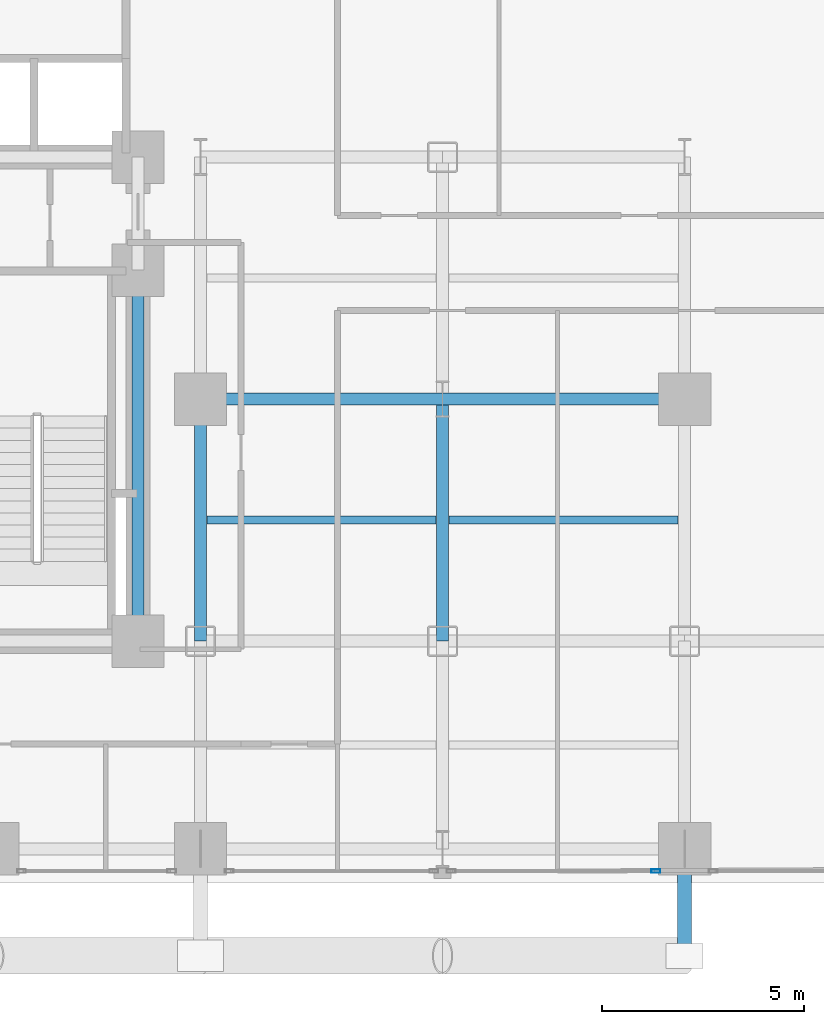
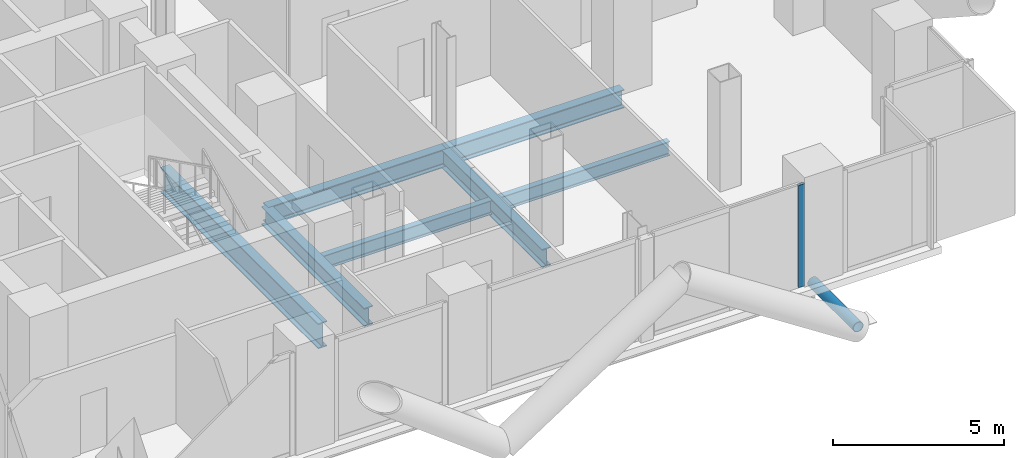
# One storey, part 9 of 25: 7 beams, 2 members, 1 element without a shape of its own.
"""IFC4 building model written with IfcOpenShell, lengths in metres."""

from ifc_helpers import new_model, si_unit, direction, frame, origin, origin_2d, place, context, subcontext, project, spatial, hollow_rectangle, hollow_circle, i_section, extrude, material, layer, layer_set, material_profile, profile_set, type_object, element, aggregate, save


model = new_model("IFC4")

# Units and contexts
model_context = context("Model", 3, precision=1e-05, world=origin(), true_north=direction((0.0, 1.0)))
body_context = subcontext(model_context, "Body", "Model", "MODEL_VIEW")
ifc_project = project(units=[si_unit("LENGTHUNIT", "METRE"), si_unit("AREAUNIT", "SQUARE_METRE"), si_unit("VOLUMEUNIT", "CUBIC_METRE"), si_unit("PLANEANGLEUNIT", "RADIAN"), si_unit("MASSUNIT", "GRAM", prefix="KILO"), si_unit("THERMODYNAMICTEMPERATUREUNIT", "KELVIN"), si_unit("POWERUNIT", "WATT")], contexts=[model_context])

# Site, building, storey
site_placement = place(None, origin())
site = spatial("IfcSite", under=ifc_project, at=site_placement, CompositionType="ELEMENT")
building_placement = place(site_placement, origin())
building = spatial("IfcBuilding", under=site, at=building_placement, Name="Svarakhadi Broadcast Tower", CompositionType="ELEMENT")
storey_placement = place(building_placement, frame((0.0, 0.0, 36.300048828125)))
storey = spatial("IfcBuildingStorey", under=building, at=storey_placement, Name="L07", CompositionType="ELEMENT", Elevation=36.300048828125)

# Beams
ifc_material_1 = material(Name="Steel S355J2 (IS 2062 E350C)", Category="steel")
ifc_material_profile_1 = material_profile(ifc_material_1, i_section(OverallWidth=0.199951171875, OverallDepth=0.5, WebThickness=0.01025390625, FlangeThickness=0.01611328125, FilletRadius=0.02099609375, at=origin_2d()), Name="NPB 500x200x91")
ifc_profile_set_1 = profile_set([ifc_material_profile_1], Name="Steel S355J2 (IS 2062 E350C)")
beam_type_1 = type_object("IfcBeamType", Name="Beam_NPB500", PredefinedType="BEAM", material=ifc_profile_set_1)
for number, where, z_axis, x_axis, name in (
    (1, (35.31005859375, 9.0, -0.5), (1.0, 0.0, 0.0), (0.0, 1.0, 0.0), "L07 Secondary Composite Beam SB023"),
    (2, (41.31005859375, 9.0, -0.5), (1.0, 0.0, 0.0), (0.0, 1.0, 0.0), "L07 Secondary Composite Beam SB026"),
):
    element("IfcBeam", number, at=place(storey_placement, frame(where, z_axis=z_axis, x_axis=x_axis)), inside=storey, type_object=beam_type_1, Name=name, PredefinedType="BEAM", context=body_context, shape_type="SweptSolid", body=[
        extrude(i_section(OverallWidth=0.199951171875, OverallDepth=0.5, WebThickness=0.01025390625, FlangeThickness=0.01611328125, FilletRadius=0.02099609375, at=origin_2d()), origin(), (0.0, 0.0, 1.0), 5.679931640625),
    ])

# Curtain wall, member
ifc_material_2 = material(Name="Anodised Bronze Aluminium AA 6063-T6", Category="aluminium")
ifc_layer = layer(ifc_material_2, 0.219970703125)
ifc_layer_set = layer_set([ifc_layer], Name="Anodised Bronze Aluminium AA 6063-T6")
curtain_wall_type = type_object("IfcCurtainWallType", Name="CW_Sys_02", PredefinedType="NOTDEFINED", material=ifc_layer_set)
curtain_wall_placement = place(storey_placement, origin())
curtain_wall = element("IfcCurtainWall", 3, at=curtain_wall_placement, inside=storey, type_object=curtain_wall_type, Name="L07 South Curtain Wall 16 Bay 2", PredefinedType="NOTDEFINED")
ifc_material_profile_2 = material_profile(ifc_material_2, hollow_rectangle(XDim=0.0849609375, YDim=0.219970703125, WallThickness=0.006103515625, at=origin_2d()), Name="ALU MULLION 220x85x6")
ifc_profile_set_2 = profile_set([ifc_material_profile_2], Name="Anodised Bronze Aluminium AA 6063-T6")
member_type_1 = type_object("IfcMemberType", Name="CW_Sys_02_Mul", PredefinedType="MULLION", material=ifc_profile_set_2)
member_1_placement = place(storey_placement, frame((46.4375, 0.300048828125, 0.0), z_axis=(0.0, 0.0, 1.0), x_axis=(0.0, -1.0, 0.0)))
member_1 = element("IfcMember", 4, at=member_1_placement, type_object=member_type_1, Name="CW-02 mullion 1", PredefinedType="MULLION", context=body_context, shape_type="SweptSolid", body=[
    extrude(hollow_rectangle(XDim=0.0849609375, YDim=0.219970703125, WallThickness=0.006103515625, at=origin_2d()), origin(), (0.0, 0.0, 1.0), 3.64990234375),
])
aggregate(curtain_wall, [member_1])

# Member
ifc_material_3 = material(Name="Steel S460ML (IS 2062 E450BR)", Category="steel")
ifc_material_profile_3 = material_profile(ifc_material_3, hollow_circle(Radius=0.177734375, WallThickness=0.02001953125, at=origin_2d()), Name="CHS 355.6x20")
ifc_profile_set_3 = profile_set([ifc_material_profile_3], Name="Steel S460ML (IS 2062 E450BR)")
member_type_2 = type_object("IfcMemberType", Name="Exo_Radial_Strut_Z1", PredefinedType="STRUT", material=ifc_profile_set_3)
member_2_placement = place(storey_placement, frame((47.14990234375, -1.800048828125, -0.427734375), z_axis=(0.0, 1.0, 0.0), x_axis=(-1.0, 0.0, 0.0)))
element("IfcMember", 5, at=member_2_placement, inside=storey, type_object=member_type_2, Name="L07 Exoskeleton Radial Tie Strut S03", PredefinedType="STRUT", context=body_context, shape_type="SweptSolid", body=[
    extrude(hollow_circle(Radius=0.177734375, WallThickness=0.02001953125, at=origin_2d()), origin(), (0.0, 0.0, 1.0), 2.650146484375),
])

# Beams
ifc_material_profile_4 = material_profile(ifc_material_1, i_section(OverallWidth=0.300048828125, OverallDepth=0.64990234375, WebThickness=0.01611328125, FlangeThickness=0.031005859375, FilletRadius=0.027099609375, at=origin_2d()), Name="WPB 650x300x225")
ifc_profile_set_4 = profile_set([ifc_material_profile_4], Name="Steel S355J2 (IS 2062 E350C)")
beam_type_2 = type_object("IfcBeamType", Name="Girder_WPB650", PredefinedType="USERDEFINED", material=ifc_profile_set_4)
for number, where, z_axis, x_axis, name in (
    (6, (35.14990234375, 12.0, -0.574951171875), (1.0, 0.0, 0.0), (0.0, 1.0, 0.0), "L07 Primary E-W Girder G023"),
    (7, (41.14990234375, 12.0, -0.574951171875), (1.0, 0.0, 0.0), (0.0, 1.0, 0.0), "L07 Primary E-W Girder G024"),
    (8, (35.14990234375, 6.0, -0.574951171875), (0.0, 1.0, 0.0), (-1.0, 0.0, 0.0), "L07 Primary N-S Girder G077"),
    (9, (41.14990234375, 6.0, -0.574951171875), (0.0, 1.0, 0.0), (-1.0, 0.0, 0.0), "L07 Primary N-S Girder G080"),
):
    element("IfcBeam", number, at=place(storey_placement, frame(where, z_axis=z_axis, x_axis=x_axis)), inside=storey, type_object=beam_type_2, Name=name, ObjectType="GIRDER", PredefinedType="USERDEFINED", context=body_context, shape_type="SweptSolid", body=[
        extrude(i_section(OverallWidth=0.300048828125, OverallDepth=0.64990234375, WebThickness=0.01611328125, FlangeThickness=0.031005859375, FilletRadius=0.027099609375, at=origin_2d()), origin(), (0.0, 0.0, 1.0), 6.0),
    ])
ifc_material_profile_5 = material_profile(ifc_material_3, i_section(OverallWidth=0.300048828125, OverallDepth=0.89990234375, WebThickness=0.0185546875, FlangeThickness=0.034912109375, FilletRadius=0.030029296875, at=origin_2d()), Name="WPB 900x300x291")
ifc_profile_set_5 = profile_set([ifc_material_profile_5], Name="Steel S460ML (IS 2062 E450BR)")
beam_type_3 = type_object("IfcBeamType", Name="Girder_WPB900", PredefinedType="USERDEFINED", material=ifc_profile_set_5)
beam_placement = place(storey_placement, frame((33.60009765625, 6.0, -0.699951171875), z_axis=(0.0, 1.0, 0.0), x_axis=(-1.0, 0.0, 0.0)))
element("IfcBeam", 10, at=beam_placement, inside=storey, type_object=beam_type_3, Name="L07 Primary N-S Girder G074", ObjectType="GIRDER", PredefinedType="USERDEFINED", context=body_context, shape_type="SweptSolid", body=[
    extrude(i_section(OverallWidth=0.300048828125, OverallDepth=0.89990234375, WebThickness=0.0185546875, FlangeThickness=0.034912109375, FilletRadius=0.030029296875, at=origin_2d()), origin(), (0.0, 0.0, 1.0), 9.199951171875),
])

save(model, "model.ifc")
